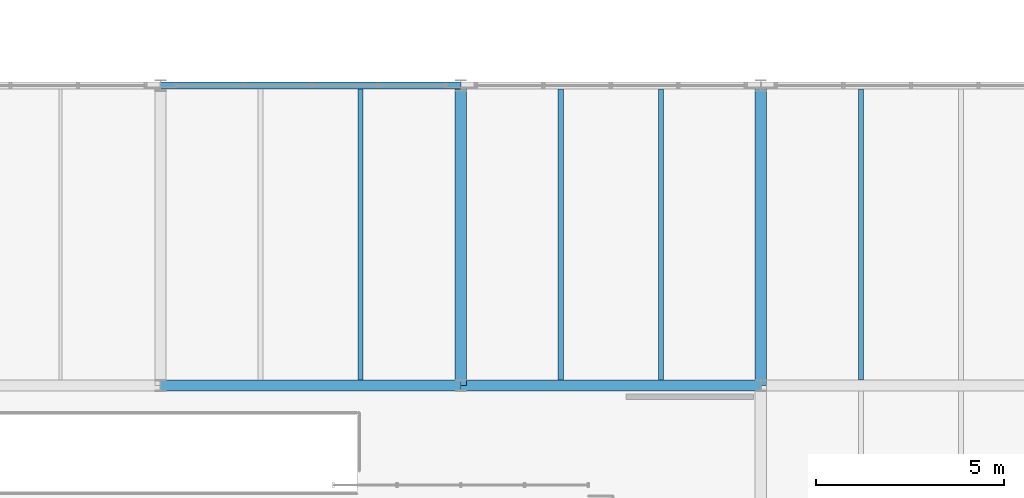
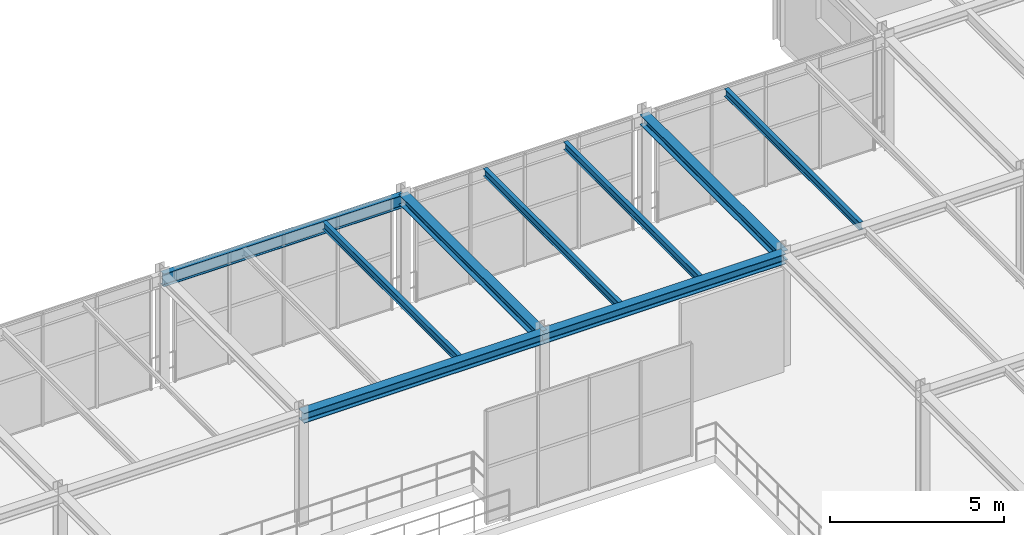
# One storey, part 49 of 124: 9 beams.
"""IFC4 building model written with IfcOpenShell, lengths in metres."""

from ifc_helpers import new_model, si_unit, direction, frame, origin, origin_2d, place, context, subcontext, project, spatial, i_section, extrude, material, material_profile, profile_set, type_object, element, save


model = new_model("IFC4")

# Units and contexts
model_context = context("Model", 3, precision=1e-05, world=origin(), true_north=direction((0.0, 1.0)))
body_context = subcontext(model_context, "Body", "Model", "MODEL_VIEW")
ifc_project = project(units=[si_unit("LENGTHUNIT", "METRE"), si_unit("AREAUNIT", "SQUARE_METRE"), si_unit("VOLUMEUNIT", "CUBIC_METRE"), si_unit("PLANEANGLEUNIT", "RADIAN"), si_unit("MASSUNIT", "GRAM", prefix="KILO")], contexts=[model_context])

# Site, building, storey
site_placement = place(None, origin())
site = spatial("IfcSite", under=ifc_project, at=site_placement, CompositionType="ELEMENT")
building_placement = place(site_placement, origin())
building = spatial("IfcBuilding", under=site, at=building_placement, Name="Sundkrona Museum", CompositionType="ELEMENT")
storey_placement = place(building_placement, frame((0.0, 0.0, 17.60009765625)))
storey = spatial("IfcBuildingStorey", under=building, at=storey_placement, Name="L03", CompositionType="ELEMENT", Elevation=17.60009765625)

# Beams
ifc_material = material(Name="Steel S355J2", Category="steel")
ifc_material_profile_1 = material_profile(ifc_material, i_section(OverallWidth=0.300048828125, OverallDepth=0.35009765625, WebThickness=0.010009765625, FlangeThickness=0.017578125, FilletRadius=0.027099609375, at=origin_2d()), Name="HEA 360")
ifc_profile_set_1 = profile_set([ifc_material_profile_1], Name="Steel S355J2")
beam_type_1 = type_object("IfcBeamType", Name="B-HEA360", PredefinedType="BEAM", material=ifc_profile_set_1)
for number, where, z_axis, x_axis, name in (
    (1, (96.0, 32.0, 3.764892578125), (1.0, 0.0, 0.0), (0.0, 1.0, 0.0), "L03 Girder X-1446"),
    (2, (104.0, 32.0, 3.764892578125), (1.0, 0.0, 0.0), (0.0, 1.0, 0.0), "L03 Girder X-1447"),
    (3, (104.0, 32.0, 3.764892578125), (0.0, 1.0, 0.0), (-1.0, 0.0, 0.0), "L03 Girder Y-1616"),
    (4, (112.0, 32.0, 3.764892578125), (0.0, 1.0, 0.0), (-1.0, 0.0, 0.0), "L03 Girder Y-1621"),
):
    element("IfcBeam", number, at=place(storey_placement, frame(where, z_axis=z_axis, x_axis=x_axis)), inside=storey, type_object=beam_type_1, Name=name, PredefinedType="BEAM", context=body_context, shape_type="SweptSolid", body=[
        extrude(i_section(OverallWidth=0.300048828125, OverallDepth=0.35009765625, WebThickness=0.010009765625, FlangeThickness=0.017578125, FilletRadius=0.027099609375, at=origin_2d()), origin(), (0.0, 0.0, 1.0), 8.0),
    ])
ifc_material_profile_2 = material_profile(ifc_material, i_section(OverallWidth=0.135009765625, OverallDepth=0.27001953125, WebThickness=0.006591796875, FlangeThickness=0.01025390625, FilletRadius=0.014892578125, at=origin_2d()), Name="IPE 270")
ifc_profile_set_2 = profile_set([ifc_material_profile_2], Name="Steel S355J2")
beam_type_2 = type_object("IfcBeamType", Name="J-IPE270", PredefinedType="JOIST", material=ifc_profile_set_2)
for number, where, z_axis, x_axis, name in (
    (5, (101.333251953125, 32.14404296875, 3.804931640625), (0.0, 1.0, 0.0), (-1.0, 0.0, 0.0), "L03 Composite Joist 1059"),
    (6, (106.666748046875, 32.14404296875, 3.804931640625), (0.0, 1.0, 0.0), (-1.0, 0.0, 0.0), "L03 Composite Joist 1062"),
    (7, (109.333251953125, 32.14404296875, 3.804931640625), (0.0, 1.0, 0.0), (-1.0, 0.0, 0.0), "L03 Composite Joist 1063"),
    (8, (114.666748046875, 32.14404296875, 3.804931640625), (0.0, 1.0, 0.0), (-1.0, 0.0, 0.0), "L03 Composite Joist 1068"),
):
    element("IfcBeam", number, at=place(storey_placement, frame(where, z_axis=z_axis, x_axis=x_axis)), inside=storey, type_object=beam_type_2, Name=name, PredefinedType="JOIST", context=body_context, shape_type="SweptSolid", body=[
        extrude(i_section(OverallWidth=0.135009765625, OverallDepth=0.27001953125, WebThickness=0.006591796875, FlangeThickness=0.01025390625, FilletRadius=0.014892578125, at=origin_2d()), origin(), (0.0, 0.0, 1.0), 7.766845703125),
    ])
ifc_material_profile_3 = material_profile(ifc_material, i_section(OverallWidth=0.18994140625, OverallDepth=0.449951171875, WebThickness=0.009521484375, FlangeThickness=0.0146484375, FilletRadius=0.02099609375, at=origin_2d()), Name="IPE 450")
ifc_profile_set_3 = profile_set([ifc_material_profile_3], Name="Steel S355J2")
beam_type_3 = type_object("IfcBeamType", Name="SP-IPE450", PredefinedType="SPANDREL", material=ifc_profile_set_3)
beam_placement = place(storey_placement, frame((96.0, 40.0, 3.71484375), z_axis=(1.0, 0.0, 0.0), x_axis=(0.0, 1.0, 0.0)))
element("IfcBeam", 9, at=beam_placement, inside=storey, type_object=beam_type_3, Name="L03 Girder X-1459", PredefinedType="SPANDREL", context=body_context, shape_type="SweptSolid", body=[
    extrude(i_section(OverallWidth=0.18994140625, OverallDepth=0.449951171875, WebThickness=0.009521484375, FlangeThickness=0.0146484375, FilletRadius=0.02099609375, at=origin_2d()), origin(), (0.0, 0.0, 1.0), 8.0),
])

save(model, "model.ifc")
